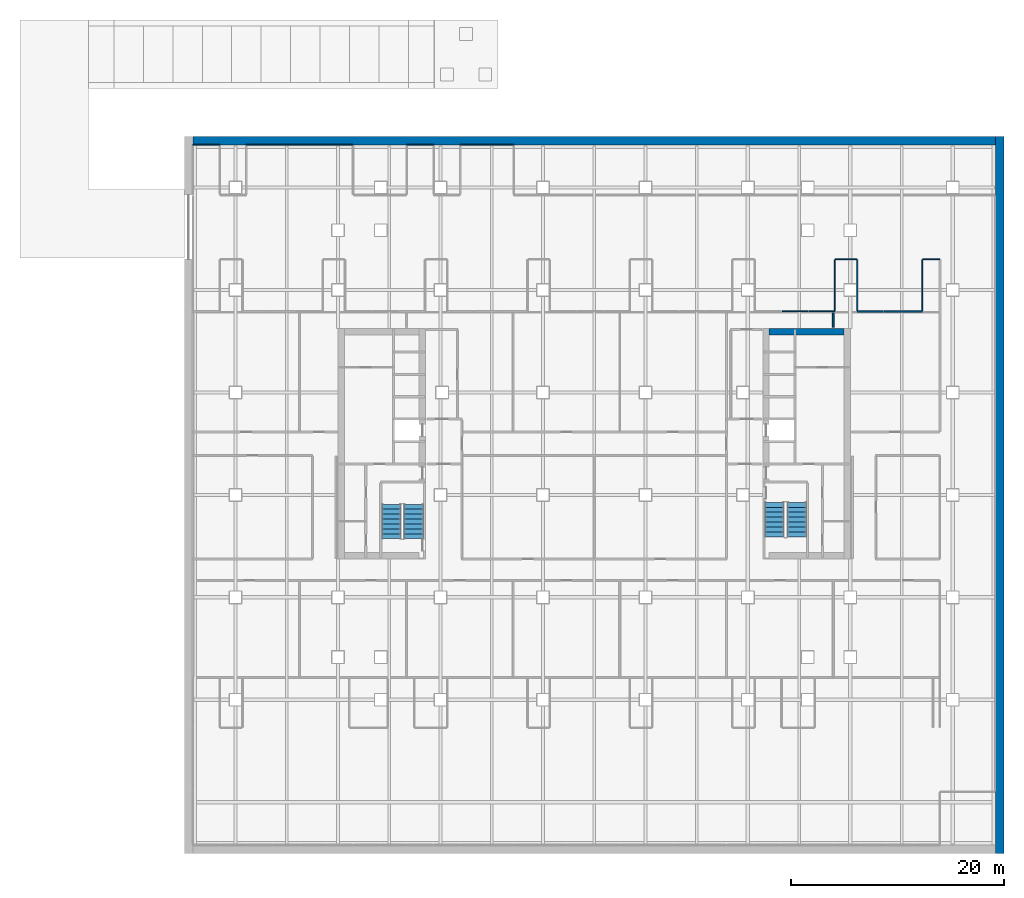
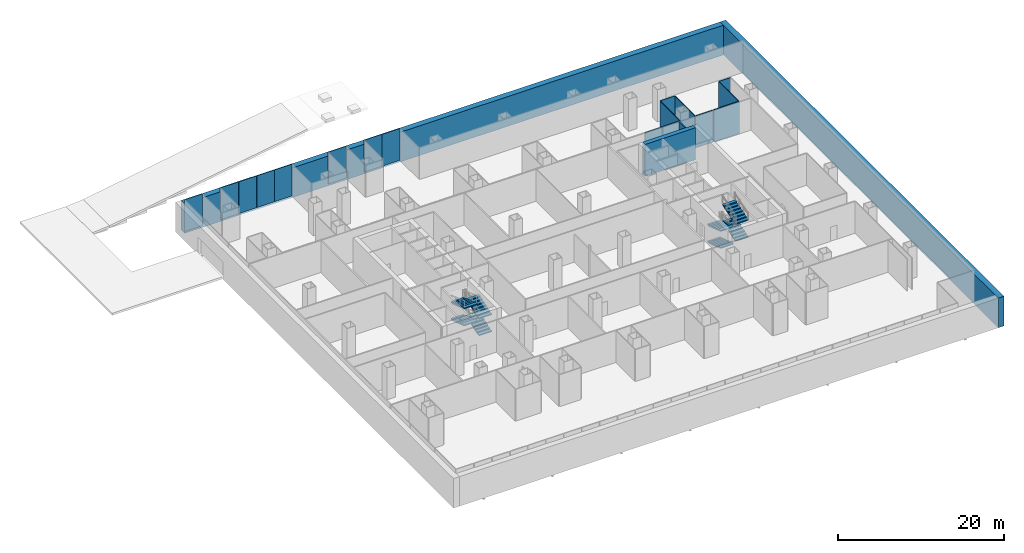
# One storey, part 10 of 11: 21 walls, 8 stair flights, 2 elements without a shape of their own.
"""IFC4 building model written with IfcOpenShell, lengths in metres."""

from ifc_helpers import new_model, si_unit, direction, frame, frame_2d, origin, place, context, subcontext, project, spatial, polyline, rectangle, outline, extrude, material, layer, layer_set, type_object, element, aggregate, save


model = new_model("IFC4")

# Units and contexts
model_context = context("Model", 3, precision=1e-05, world=origin(), true_north=direction((0.0, 1.0)))
body_context = subcontext(model_context, "Body", "Model", "MODEL_VIEW")
ifc_project = project(units=[si_unit("LENGTHUNIT", "METRE"), si_unit("AREAUNIT", "SQUARE_METRE"), si_unit("VOLUMEUNIT", "CUBIC_METRE"), si_unit("PLANEANGLEUNIT", "RADIAN"), si_unit("MASSUNIT", "GRAM", prefix="KILO")], contexts=[model_context])

# Site, building, storey
site_placement = place(None, origin())
site = spatial("IfcSite", under=ifc_project, at=site_placement, CompositionType="ELEMENT")
building_placement = place(site_placement, origin())
building = spatial("IfcBuilding", under=site, at=building_placement, Name="Cobrizo Arcos Hotel Tower", CompositionType="ELEMENT")
storey_placement = place(building_placement, frame((0.0, 0.0, -5.0)))
storey = spatial("IfcBuildingStorey", under=building, at=storey_placement, Name="B1", CompositionType="ELEMENT", Elevation=-5.0)

# Walls
ifc_material_1 = material(Name="Gypsum board partition")
ifc_layer_1 = layer(ifc_material_1, 0.14990234375)
ifc_layer_set_1 = layer_set([ifc_layer_1], Name="Corridor wall EI 60 150")
wall_type_1 = type_object("IfcWallType", Name="Corridor wall EI 60 150", PredefinedType="PARTITIONING", material=ifc_layer_set_1)
wall_1_placement = place(storey_placement, frame((24.64990234375, 12.39990234375, 0.0), z_axis=(0.0, 0.0, 1.0), x_axis=(1.0, 0.0, 0.0)))
element("IfcWall", 1, at=wall_1_placement, inside=storey, type_object=wall_type_1, Name="Partition 113", PredefinedType="PARTITIONING", context=body_context, shape_type="SweptSolid", body=[
    extrude(rectangle(XDim=2.4501953125, YDim=0.14990234375, at=frame_2d((1.22509765625, 0.0))), origin(), (0.0, 0.0, 1.0), 4.699951171875),
])
wall_2_placement = place(storey_placement, frame((27.199951171875, 12.39990234375, 0.0), z_axis=(0.0, 0.0, 1.0), x_axis=(1.0, 0.0, 0.0)))
element("IfcWall", 2, at=wall_2_placement, inside=storey, type_object=wall_type_1, Name="Partition 114", PredefinedType="PARTITIONING", context=body_context, shape_type="SweptSolid", body=[
    extrude(rectangle(XDim=3.550048828125, YDim=0.14990234375, at=frame_2d((1.77490234375, 0.0))), origin(), (0.0, 0.0, 1.0), 4.699951171875),
])
wall_3_placement = place(storey_placement, frame((22.39990234375, 10.919921875, 0.0), z_axis=(0.0, 0.0, 1.0), x_axis=(0.0, 1.0, 0.0)))
element("IfcWall", 3, at=wall_3_placement, inside=storey, type_object=wall_type_1, Name="Partition 201", PredefinedType="PARTITIONING", context=body_context, shape_type="SweptSolid", body=[
    extrude(rectangle(XDim=1.330078125, YDim=0.14990234375, at=frame_2d((0.6650390625, 0.0))), origin(), (0.0, 0.0, 1.0), 4.699951171875),
])
ifc_layer_2 = layer(ifc_material_1, 0.10009765625)
ifc_layer_set_2 = layer_set([ifc_layer_2], Name="Partition EI 30 100")
wall_type_2 = type_object("IfcWallType", Name="Partition EI 30 100", PredefinedType="PARTITIONING", material=ifc_layer_set_2)
wall_4_placement = place(storey_placement, frame((17.60009765625, 12.39990234375, 0.0), z_axis=(0.0, 0.0, 1.0), x_axis=(1.0, 0.0, 0.0)))
element("IfcWall", 4, at=wall_4_placement, inside=storey, type_object=wall_type_2, Name="Partition 111", PredefinedType="PARTITIONING", context=body_context, shape_type="SweptSolid", body=[
    extrude(rectangle(XDim=2.39990234375, YDim=0.10009765625, at=frame_2d((1.199951171875, 0.0))), origin(), (0.0, 0.0, 1.0), 4.699951171875),
])
wall_5_placement = place(storey_placement, frame((20.10009765625, 12.39990234375, 0.0), z_axis=(0.0, 0.0, 1.0), x_axis=(1.0, 0.0, 0.0)))
element("IfcWall", 5, at=wall_5_placement, inside=storey, type_object=wall_type_2, Name="Partition 112", PredefinedType="PARTITIONING", context=body_context, shape_type="SweptSolid", body=[
    extrude(rectangle(XDim=2.449951171875, YDim=0.10009765625, at=frame_2d((1.22509765625, 0.0))), origin(), (0.0, 0.0, 1.0), 4.699951171875),
])
wall_6_placement = place(storey_placement, frame((22.60009765625, 17.300048828125, 0.0), z_axis=(0.0, 0.0, 1.0), x_axis=(1.0, 0.0, 0.0)))
element("IfcWall", 6, at=wall_6_placement, inside=storey, type_object=wall_type_2, Name="Partition 121", PredefinedType="PARTITIONING", context=body_context, shape_type="SweptSolid", body=[
    extrude(rectangle(XDim=2.0, YDim=0.10009765625, at=frame_2d((1.0, 0.0))), origin(), (0.0, 0.0, 1.0), 4.699951171875),
])
wall_7_placement = place(storey_placement, frame((30.800048828125, 17.300048828125, 0.0), z_axis=(0.0, 0.0, 1.0), x_axis=(1.0, 0.0, 0.0)))
element("IfcWall", 7, at=wall_7_placement, inside=storey, type_object=wall_type_2, Name="Partition 122", PredefinedType="PARTITIONING", context=body_context, shape_type="SweptSolid", body=[
    extrude(rectangle(XDim=1.599853515625, YDim=0.10009765625, at=frame_2d((0.7998046875, 0.0))), origin(), (0.0, 0.0, 1.0), 4.699951171875),
])
for number, where, z_axis, x_axis, name in (
    (8, (-37.60009765625, 28.0, 0.0), (0.0, 0.0, 1.0), (1.0, 0.0, 0.0), "Partition 127"),
    (9, (-32.60009765625, 28.0, 0.0), (0.0, 0.0, 1.0), (1.0, 0.0, 0.0), "Partition 128"),
):
    element("IfcWall", number, at=place(storey_placement, frame(where, z_axis=z_axis, x_axis=x_axis)), inside=storey, type_object=wall_type_2, Name=name, PredefinedType="PARTITIONING", context=body_context, shape_type="SweptSolid", body=[
        extrude(rectangle(XDim=2.5, YDim=0.10009765625, at=frame_2d((1.25, 0.0))), origin(), (0.0, 0.0, 1.0), 4.699951171875),
    ])
for number, where, z_axis, x_axis, name in (
    (10, (-30.050048828125, 28.0, 0.0), (0.0, 0.0, 1.0), (1.0, 0.0, 0.0), "Partition 129"),
    (11, (-27.550048828125, 28.0, 0.0), (0.0, 0.0, 1.0), (1.0, 0.0, 0.0), "Partition 130"),
    (12, (-25.050048828125, 28.0, 0.0), (0.0, 0.0, 1.0), (1.0, 0.0, 0.0), "Partition 131"),
):
    element("IfcWall", number, at=place(storey_placement, frame(where, z_axis=z_axis, x_axis=x_axis)), inside=storey, type_object=wall_type_2, Name=name, PredefinedType="PARTITIONING", context=body_context, shape_type="SweptSolid", body=[
        extrude(rectangle(XDim=2.449951171875, YDim=0.10009765625, at=frame_2d((1.22509765625, 0.0))), origin(), (0.0, 0.0, 1.0), 4.699951171875),
    ])
wall_8_placement = place(storey_placement, frame((-17.550048828125, 28.0, 0.0), z_axis=(0.0, 0.0, 1.0), x_axis=(1.0, 0.0, 0.0)))
element("IfcWall", 13, at=wall_8_placement, inside=storey, type_object=wall_type_2, Name="Partition 132", PredefinedType="PARTITIONING", context=body_context, shape_type="SweptSolid", body=[
    extrude(rectangle(XDim=2.5, YDim=0.10009765625, at=frame_2d((1.25, 0.0))), origin(), (0.0, 0.0, 1.0), 4.699951171875),
])
wall_9_placement = place(storey_placement, frame((-12.550048828125, 28.0, 0.0), z_axis=(0.0, 0.0, 1.0), x_axis=(1.0, 0.0, 0.0)))
element("IfcWall", 14, at=wall_9_placement, inside=storey, type_object=wall_type_2, Name="Partition 133", PredefinedType="PARTITIONING", context=body_context, shape_type="SweptSolid", body=[
    extrude(rectangle(XDim=2.449951171875, YDim=0.10009765625, at=frame_2d((1.22509765625, 0.0))), origin(), (0.0, 0.0, 1.0), 4.699951171875),
])
wall_10_placement = place(storey_placement, frame((-10.050048828125, 28.0, 0.0), z_axis=(0.0, 0.0, 1.0), x_axis=(1.0, 0.0, 0.0)))
element("IfcWall", 15, at=wall_10_placement, inside=storey, type_object=wall_type_2, Name="Partition 134", PredefinedType="PARTITIONING", context=body_context, shape_type="SweptSolid", body=[
    extrude(rectangle(XDim=2.5, YDim=0.10009765625, at=frame_2d((1.25, 0.0))), origin(), (0.0, 0.0, 1.0), 4.699951171875),
])
wall_11_placement = place(storey_placement, frame((22.550048828125, 12.449951171875, 0.0), z_axis=(0.0, 0.0, 1.0), x_axis=(0.0, 1.0, 0.0)))
element("IfcWall", 16, at=wall_11_placement, inside=storey, type_object=wall_type_2, Name="Partition 202", PredefinedType="PARTITIONING", context=body_context, shape_type="SweptSolid", body=[
    extrude(rectangle(XDim=4.800048828125, YDim=0.10009765625, at=frame_2d((2.39990234375, 0.0))), origin(), (0.0, 0.0, 1.0), 4.699951171875),
])
for number, where, z_axis, x_axis, name in (
    (17, (24.64990234375, 12.47509765625, 0.0), (0.0, 0.0, 1.0), (0.0, 1.0, 0.0), "Partition 204"),
    (18, (30.75, 12.47509765625, 0.0), (0.0, 0.0, 1.0), (0.0, 1.0, 0.0), "Partition 206"),
):
    element("IfcWall", number, at=place(storey_placement, frame(where, z_axis=z_axis, x_axis=x_axis)), inside=storey, type_object=wall_type_2, Name=name, PredefinedType="PARTITIONING", context=body_context, shape_type="SweptSolid", body=[
        extrude(rectangle(XDim=4.77490234375, YDim=0.10009765625, at=frame_2d((2.387451171875, 0.0))), origin(), (0.0, 0.0, 1.0), 4.699951171875),
    ])
ifc_material_2 = material(Name="Concrete f'c 60 MPa", Category="concrete")
ifc_layer_3 = layer(ifc_material_2, 0.60009765625)
ifc_layer_set_3 = layer_set([ifc_layer_3], Name="RC core wall 600 f'c 60")
wall_type_3 = type_object("IfcWallType", Name="RC core wall 600 f'c 60", PredefinedType="SHEAR", material=ifc_layer_set_3)
wall_12_placement = place(storey_placement, frame((16.39990234375, 10.5, 0.0), z_axis=(0.0, 0.0, 1.0), x_axis=(1.0, 0.0, 0.0)))
element("IfcWall", 19, at=wall_12_placement, inside=storey, type_object=wall_type_3, Name="Core wall CW1, east core, north end, B1", PredefinedType="SHEAR", context=body_context, shape_type="SweptSolid", body=[
    extrude(rectangle(XDim=7.0, YDim=0.60009765625, at=frame_2d((3.5, 0.0))), origin(), (0.0, 0.0, 1.0), 4.699951171875),
])
ifc_material_3 = material(Name="Concrete f'c 40 MPa", Category="concrete")
ifc_layer_4 = layer(ifc_material_3, 0.800048828125)
ifc_layer_set_4 = layer_set([ifc_layer_4], Name="Retaining wall 800 f'c 40")
wall_type_4 = type_object("IfcWallType", Name="Retaining wall 800 f'c 40", PredefinedType="SOLIDWALL", material=ifc_layer_set_4)
wall_13_placement = place(storey_placement, frame((-37.60009765625, 28.39990234375, -0.300048828125), z_axis=(0.0, 0.0, 1.0), x_axis=(1.0, 0.0, 0.0)))
element("IfcWall", 20, at=wall_13_placement, inside=storey, type_object=wall_type_4, Name="Retaining wall RW-B1-N, north side, B1", PredefinedType="SOLIDWALL", context=body_context, shape_type="SweptSolid", body=[
    extrude(rectangle(XDim=75.2001953125, YDim=0.800048828125, at=frame_2d((37.60009765625, 0.0))), origin(), (0.0, 0.0, 1.0), 4.377685546875),
])
wall_14_placement = place(storey_placement, frame((38.0, -38.39990234375, -0.300048828125), z_axis=(0.0, 0.0, 1.0), x_axis=(0.0, 1.0, 0.0)))
element("IfcWall", 21, at=wall_14_placement, inside=storey, type_object=wall_type_4, Name="Retaining wall RW-B1-E, east side, B1", PredefinedType="SOLIDWALL", context=body_context, shape_type="SweptSolid", body=[
    extrude(rectangle(XDim=67.199951171875, YDim=0.800048828125, at=frame_2d((33.60009765625, 0.0))), origin(), (0.0, 0.0, 1.0), 4.377685546875),
])

# Stair, stair flights
stair_type = type_object("IfcStairType", Name="Exit stair", PredefinedType="HALF_TURN_STAIR", material=ifc_material_3)
stair_1_placement = place(storey_placement, origin())
stair_1 = element("IfcStair", 22, at=stair_1_placement, inside=storey, type_object=stair_type, Name="B1 Exit stair ST-W", PredefinedType="HALF_TURN_STAIR")
stair_flight_type = type_object("IfcStairFlightType", Name="Exit stair flight", PredefinedType="STRAIGHT", material=ifc_material_3)
stair_flight_1_placement = place(storey_placement, frame((-16.89990234375, -8.89990234375, 0.0), z_axis=(0.0, 0.0, 1.0), x_axis=(0.0, 1.0, 0.0)))
stair_flight_1 = element("IfcStairFlight", 23, at=stair_flight_1_placement, type_object=stair_flight_type, Name="ST-W flight 1", NumberOfRisers=8, NumberOfTreads=7, PredefinedType="STRAIGHT", RiserHeight=0.15625, TreadLength=0.46, context=body_context, shape_type="SweptSolid", body=[
    extrude(outline(polyline([(0.0, 0.0), (0.0, 0.15625), (0.4599609375, 0.15625), (0.4599609375, 0.3125), (0.919921875, 0.3125), (0.919921875, 0.46875), (1.3798828125, 0.46875), (1.3798828125, 0.625), (1.840087890625, 0.625), (1.840087890625, 0.78125), (2.300048828125, 0.78125), (2.300048828125, 0.9375), (2.760009765625, 0.9375), (2.760009765625, 1.09375), (3.219970703125, 1.09375), (3.219970703125, 1.25), (3.219970703125, 0.935546875), (0.466064453125, 0.0), (0.0, 0.0)])), frame((0.0, 0.89990234375, 0.0), z_axis=(0.0, -1.0, 0.0), x_axis=(1.0, 0.0, 0.0)), (0.0, 0.0, 1.0), 1.800048828125),
])
stair_flight_2_placement = place(storey_placement, frame((-19.0, -5.679931640625, 1.25), z_axis=(0.0, 0.0, 1.0), x_axis=(0.0, -1.0, 0.0)))
stair_flight_2 = element("IfcStairFlight", 24, at=stair_flight_2_placement, type_object=stair_flight_type, Name="ST-W flight 2", NumberOfRisers=8, NumberOfTreads=7, PredefinedType="STRAIGHT", RiserHeight=0.15625, TreadLength=0.46, context=body_context, shape_type="SweptSolid", body=[
    extrude(outline(polyline([(0.0, 0.0), (0.0, 0.15625), (0.4599609375, 0.15625), (0.4599609375, 0.3125), (0.919921875, 0.3125), (0.919921875, 0.46875), (1.3798828125, 0.46875), (1.3798828125, 0.625), (1.840087890625, 0.625), (1.840087890625, 0.78125), (2.300048828125, 0.78125), (2.300048828125, 0.9375), (2.760009765625, 0.9375), (2.760009765625, 1.09375), (3.219970703125, 1.09375), (3.219970703125, 1.25), (3.219970703125, 0.935546875), (0.466064453125, 0.0), (0.0, 0.0)])), frame((0.0, 0.89990234375, 0.0), z_axis=(0.0, -1.0, 0.0), x_axis=(1.0, 0.0, 0.0)), (0.0, 0.0, 1.0), 1.800048828125),
])
stair_flight_3_placement = place(storey_placement, frame((-16.89990234375, -8.89990234375, 2.5), z_axis=(0.0, 0.0, 1.0), x_axis=(0.0, 1.0, 0.0)))
stair_flight_3 = element("IfcStairFlight", 25, at=stair_flight_3_placement, type_object=stair_flight_type, Name="ST-W flight 3", NumberOfRisers=8, NumberOfTreads=7, PredefinedType="STRAIGHT", RiserHeight=0.15625, TreadLength=0.46, context=body_context, shape_type="SweptSolid", body=[
    extrude(outline(polyline([(0.0, 0.0), (0.0, 0.15625), (0.4599609375, 0.15625), (0.4599609375, 0.3125), (0.919921875, 0.3125), (0.919921875, 0.46875), (1.3798828125, 0.46875), (1.3798828125, 0.625), (1.840087890625, 0.625), (1.840087890625, 0.78125), (2.300048828125, 0.78125), (2.300048828125, 0.9375), (2.760009765625, 0.9375), (2.760009765625, 1.09375), (3.219970703125, 1.09375), (3.219970703125, 1.25), (3.219970703125, 0.935546875), (0.466064453125, 0.0), (0.0, 0.0)])), frame((0.0, 0.89990234375, 0.0), z_axis=(0.0, -1.0, 0.0), x_axis=(1.0, 0.0, 0.0)), (0.0, 0.0, 1.0), 1.800048828125),
])
stair_flight_4_placement = place(storey_placement, frame((-19.0, -5.679931640625, 3.75), z_axis=(0.0, 0.0, 1.0), x_axis=(0.0, -1.0, 0.0)))
stair_flight_4 = element("IfcStairFlight", 26, at=stair_flight_4_placement, type_object=stair_flight_type, Name="ST-W flight 4", NumberOfRisers=8, NumberOfTreads=7, PredefinedType="STRAIGHT", RiserHeight=0.15625, TreadLength=0.46, context=body_context, shape_type="SweptSolid", body=[
    extrude(outline(polyline([(0.0, 0.0), (0.0, 0.15625), (0.4599609375, 0.15625), (0.4599609375, 0.3125), (0.919921875, 0.3125), (0.919921875, 0.46875), (1.3798828125, 0.46875), (1.3798828125, 0.625), (1.840087890625, 0.625), (1.840087890625, 0.78125), (2.300048828125, 0.78125), (2.300048828125, 0.9375), (2.760009765625, 0.9375), (2.760009765625, 1.09375), (3.219970703125, 1.09375), (3.219970703125, 1.25), (3.219970703125, 0.935546875), (0.466064453125, 0.0), (0.0, 0.0)])), frame((0.0, 0.89990234375, 0.0), z_axis=(0.0, -1.0, 0.0), x_axis=(1.0, 0.0, 0.0)), (0.0, 0.0, 1.0), 1.800048828125),
])
aggregate(stair_1, [stair_flight_1, stair_flight_2, stair_flight_3, stair_flight_4])

stair_2_placement = place(storey_placement, origin())
stair_2 = element("IfcStair", 27, at=stair_2_placement, inside=storey, type_object=stair_type, Name="B1 Exit stair ST-E", PredefinedType="HALF_TURN_STAIR")
stair_flight_5_placement = place(storey_placement, frame((16.89990234375, -5.5, 0.0), z_axis=(0.0, 0.0, 1.0), x_axis=(0.0, -1.0, 0.0)))
stair_flight_5 = element("IfcStairFlight", 28, at=stair_flight_5_placement, type_object=stair_flight_type, Name="ST-E flight 1", NumberOfRisers=8, NumberOfTreads=7, PredefinedType="STRAIGHT", RiserHeight=0.15625, TreadLength=0.46, context=body_context, shape_type="SweptSolid", body=[
    extrude(outline(polyline([(0.0, 0.0), (0.0, 0.15625), (0.4599609375, 0.15625), (0.4599609375, 0.3125), (0.919921875, 0.3125), (0.919921875, 0.46875), (1.3798828125, 0.46875), (1.3798828125, 0.625), (1.840087890625, 0.625), (1.840087890625, 0.78125), (2.300048828125, 0.78125), (2.300048828125, 0.9375), (2.760009765625, 0.9375), (2.760009765625, 1.09375), (3.219970703125, 1.09375), (3.219970703125, 1.25), (3.219970703125, 0.935546875), (0.466064453125, 0.0), (0.0, 0.0)])), frame((0.0, 0.89990234375, 0.0), z_axis=(0.0, -1.0, 0.0), x_axis=(1.0, 0.0, 0.0)), (0.0, 0.0, 1.0), 1.800048828125),
])
stair_flight_6_placement = place(storey_placement, frame((19.0, -8.719970703125, 1.25), z_axis=(0.0, 0.0, 1.0), x_axis=(0.0, 1.0, 0.0)))
stair_flight_6 = element("IfcStairFlight", 29, at=stair_flight_6_placement, type_object=stair_flight_type, Name="ST-E flight 2", NumberOfRisers=8, NumberOfTreads=7, PredefinedType="STRAIGHT", RiserHeight=0.15625, TreadLength=0.46, context=body_context, shape_type="SweptSolid", body=[
    extrude(outline(polyline([(0.0, 0.0), (0.0, 0.15625), (0.4599609375, 0.15625), (0.4599609375, 0.3125), (0.919921875, 0.3125), (0.919921875, 0.46875), (1.3798828125, 0.46875), (1.3798828125, 0.625), (1.840087890625, 0.625), (1.840087890625, 0.78125), (2.300048828125, 0.78125), (2.300048828125, 0.9375), (2.760009765625, 0.9375), (2.760009765625, 1.09375), (3.219970703125, 1.09375), (3.219970703125, 1.25), (3.219970703125, 0.935546875), (0.466064453125, 0.0), (0.0, 0.0)])), frame((0.0, 0.89990234375, 0.0), z_axis=(0.0, -1.0, 0.0), x_axis=(1.0, 0.0, 0.0)), (0.0, 0.0, 1.0), 1.800048828125),
])
stair_flight_7_placement = place(storey_placement, frame((16.89990234375, -5.5, 2.5), z_axis=(0.0, 0.0, 1.0), x_axis=(0.0, -1.0, 0.0)))
stair_flight_7 = element("IfcStairFlight", 30, at=stair_flight_7_placement, type_object=stair_flight_type, Name="ST-E flight 3", NumberOfRisers=8, NumberOfTreads=7, PredefinedType="STRAIGHT", RiserHeight=0.15625, TreadLength=0.46, context=body_context, shape_type="SweptSolid", body=[
    extrude(outline(polyline([(0.0, 0.0), (0.0, 0.15625), (0.4599609375, 0.15625), (0.4599609375, 0.3125), (0.919921875, 0.3125), (0.919921875, 0.46875), (1.3798828125, 0.46875), (1.3798828125, 0.625), (1.840087890625, 0.625), (1.840087890625, 0.78125), (2.300048828125, 0.78125), (2.300048828125, 0.9375), (2.760009765625, 0.9375), (2.760009765625, 1.09375), (3.219970703125, 1.09375), (3.219970703125, 1.25), (3.219970703125, 0.935546875), (0.466064453125, 0.0), (0.0, 0.0)])), frame((0.0, 0.89990234375, 0.0), z_axis=(0.0, -1.0, 0.0), x_axis=(1.0, 0.0, 0.0)), (0.0, 0.0, 1.0), 1.800048828125),
])
stair_flight_8_placement = place(storey_placement, frame((19.0, -8.719970703125, 3.75), z_axis=(0.0, 0.0, 1.0), x_axis=(0.0, 1.0, 0.0)))
stair_flight_8 = element("IfcStairFlight", 31, at=stair_flight_8_placement, type_object=stair_flight_type, Name="ST-E flight 4", NumberOfRisers=8, NumberOfTreads=7, PredefinedType="STRAIGHT", RiserHeight=0.15625, TreadLength=0.46, context=body_context, shape_type="SweptSolid", body=[
    extrude(outline(polyline([(0.0, 0.0), (0.0, 0.15625), (0.4599609375, 0.15625), (0.4599609375, 0.3125), (0.919921875, 0.3125), (0.919921875, 0.46875), (1.3798828125, 0.46875), (1.3798828125, 0.625), (1.840087890625, 0.625), (1.840087890625, 0.78125), (2.300048828125, 0.78125), (2.300048828125, 0.9375), (2.760009765625, 0.9375), (2.760009765625, 1.09375), (3.219970703125, 1.09375), (3.219970703125, 1.25), (3.219970703125, 0.935546875), (0.466064453125, 0.0), (0.0, 0.0)])), frame((0.0, 0.89990234375, 0.0), z_axis=(0.0, -1.0, 0.0), x_axis=(1.0, 0.0, 0.0)), (0.0, 0.0, 1.0), 1.800048828125),
])
aggregate(stair_2, [stair_flight_5, stair_flight_6, stair_flight_7, stair_flight_8])

save(model, "model.ifc")
